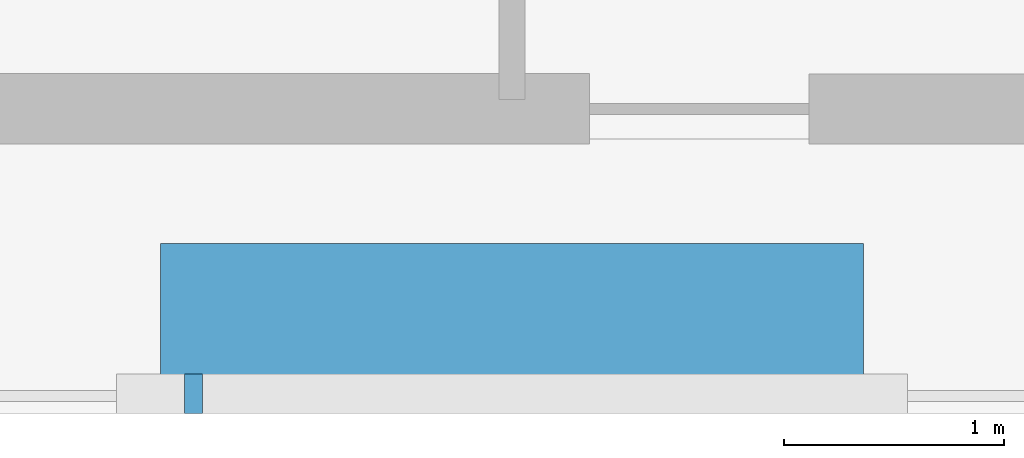
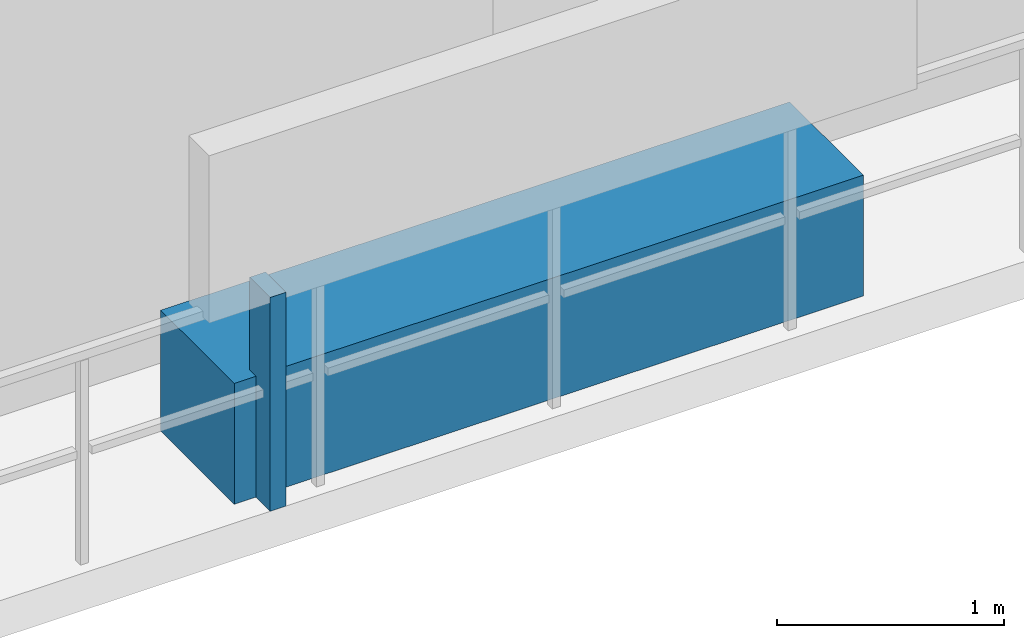
# One storey, part 29 of 33: 2 discrete accessories.
"""IFC4 building model written with IfcOpenShell, lengths in metres."""

from ifc_helpers import new_model, si_unit, direction, frame, origin, origin_2d, place, context, subcontext, project, spatial, rectangle, extrude, material, type_object, element, save


model = new_model("IFC4")

# Units and contexts
model_context = context("Model", 3, precision=1e-05, world=origin(), true_north=direction((0.0, 1.0)))
body_context = subcontext(model_context, "Body", "Model", "MODEL_VIEW")
ifc_project = project(units=[si_unit("LENGTHUNIT", "METRE"), si_unit("AREAUNIT", "SQUARE_METRE"), si_unit("VOLUMEUNIT", "CUBIC_METRE"), si_unit("PLANEANGLEUNIT", "RADIAN"), si_unit("MASSUNIT", "GRAM", prefix="KILO")], contexts=[model_context])

# Site, building, storey
site_placement = place(None, origin())
site = spatial("IfcSite", under=ifc_project, at=site_placement, CompositionType="ELEMENT")
building_placement = place(site_placement, origin())
building = spatial("IfcBuilding", under=site, at=building_placement, Name="Thornwick Lancets Civic Towers", CompositionType="ELEMENT")
storey_placement = place(building_placement, frame((0.0, 0.0, 101.699951171875)))
storey = spatial("IfcBuildingStorey", under=building, at=storey_placement, Name="L26", CompositionType="ELEMENT", Elevation=101.699951171875)

# Discrete accessories
ifc_material_1 = material(Name="Planted terracotta greenery planter", Category="masonry")
discrete_accessory_type_1 = type_object("IfcDiscreteAccessoryType", Name="ACC_PLANTER_BOX", PredefinedType="USERDEFINED", material=ifc_material_1)
discrete_accessory_1_placement = place(storey_placement, frame((88.5, 2.10009765625, 0.0), z_axis=(0.0, 0.0, 1.0), x_axis=(1.0, 0.0, 0.0)))
element("IfcDiscreteAccessory", 1, at=discrete_accessory_1_placement, inside=storey, type_object=discrete_accessory_type_1, Name="L26 Tower B Balcony Greenery Planter S", ObjectType="PLANTER", PredefinedType="USERDEFINED", context=body_context, shape_type="SweptSolid", body=[
    extrude(rectangle(XDim=3.199951171875, YDim=0.64990234375, at=origin_2d()), origin(), (0.0, 0.0, 1.0), 0.64990234375),
])
ifc_material_2 = material(Name="Stainless steel S355", Category="steel")
discrete_accessory_type_2 = type_object("IfcDiscreteAccessoryType", Name="ACC_SCREEN_BRACKET", PredefinedType="BRACKET", material=ifc_material_2)
discrete_accessory_2_placement = place(storey_placement, frame((87.050048828125, 1.739990234375, 0.0), z_axis=(0.0, 0.0, 1.0), x_axis=(1.0, 0.0, 0.0)))
element("IfcDiscreteAccessory", 2, at=discrete_accessory_2_placement, inside=storey, type_object=discrete_accessory_type_2, Name="L26 Tower B Balcony Screen Stanchion Bracket S-1", PredefinedType="BRACKET", context=body_context, shape_type="SweptSolid", body=[
    extrude(rectangle(XDim=0.080078125, YDim=0.179931640625, at=origin_2d()), origin(), (0.0, 0.0, 1.0), 1.14990234375),
])

save(model, "model.ifc")
